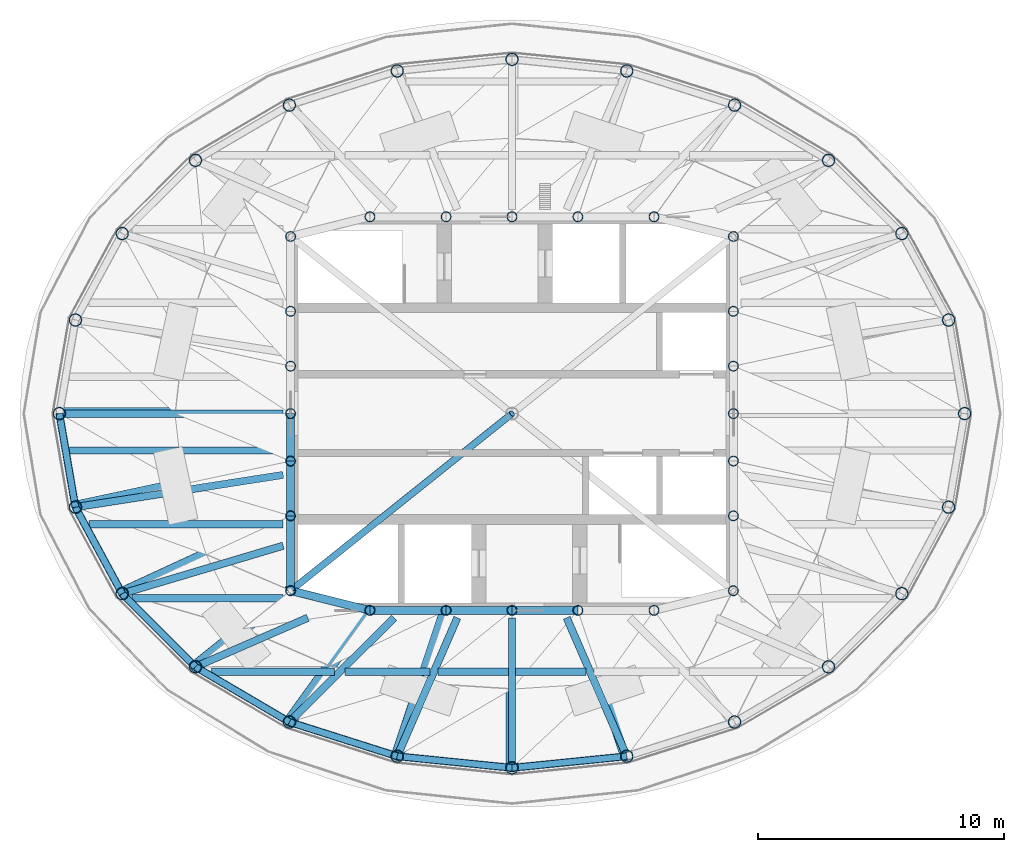
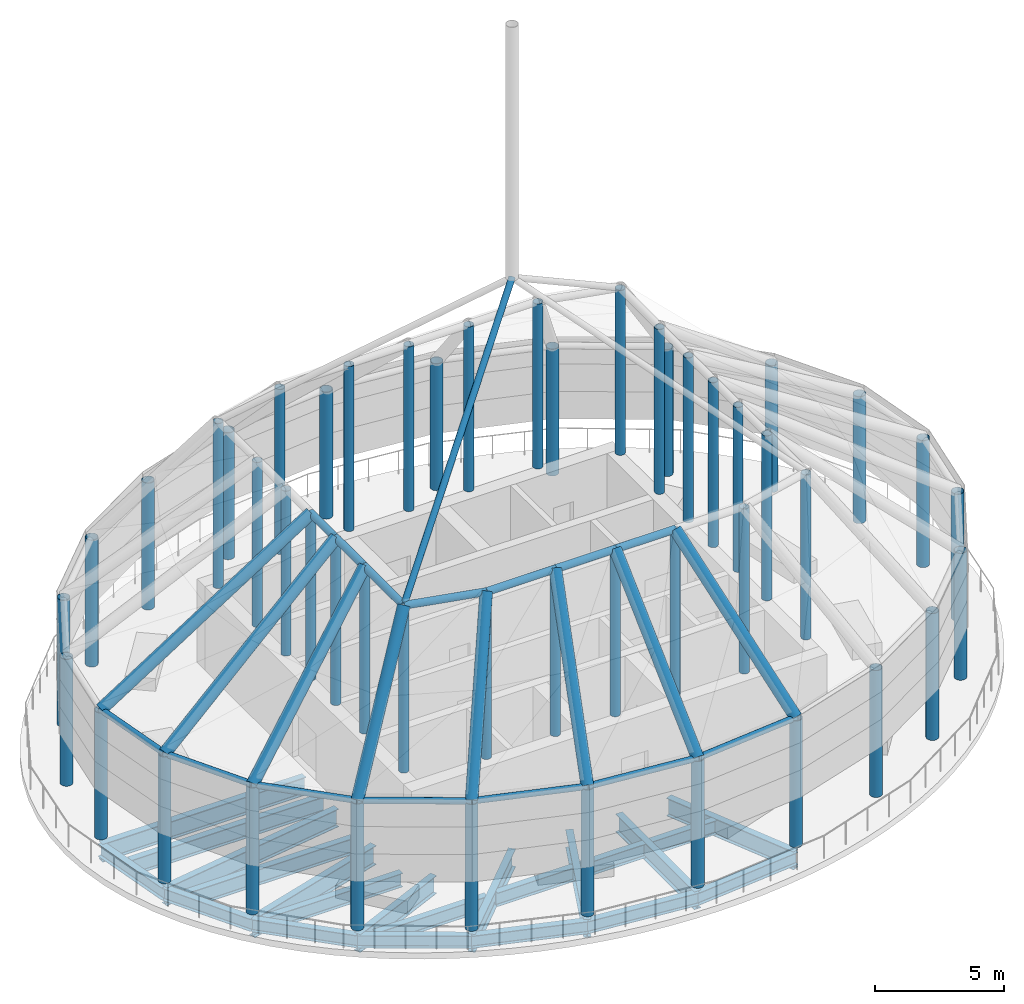
# One storey, part 1 of 8: 48 columns, 44 beams, 1 member.
"""IFC4 building model written with IfcOpenShell, lengths in metres."""

from ifc_helpers import new_model, si_unit, direction, frame, origin, origin_2d, place, context, subcontext, project, spatial, hollow_circle, i_section, extrude, material, material_profile, profile_set, type_object, element, save


model = new_model("IFC4")

# Units and contexts
model_context = context("Model", 3, precision=1e-05, world=origin(), true_north=direction((0.0, 1.0)))
body_context = subcontext(model_context, "Body", "Model", "MODEL_VIEW")
ifc_project = project(units=[si_unit("LENGTHUNIT", "METRE"), si_unit("AREAUNIT", "SQUARE_METRE"), si_unit("VOLUMEUNIT", "CUBIC_METRE"), si_unit("PLANEANGLEUNIT", "RADIAN"), si_unit("MASSUNIT", "GRAM", prefix="KILO")], contexts=[model_context])

# Site, building, storey
site_placement = place(None, origin())
site = spatial("IfcSite", under=ifc_project, at=site_placement, CompositionType="ELEMENT")
building_placement = place(site_placement, origin())
building = spatial("IfcBuilding", under=site, at=building_placement, Name="Hankou Lantern Tower", CompositionType="ELEMENT")
storey_placement = place(building_placement, frame((0.0, 0.0, 248.699951171875)))
storey = spatial("IfcBuildingStorey", under=building, at=storey_placement, Name="RF", CompositionType="ELEMENT", Elevation=248.699951171875)

# Columns
ifc_material_1 = material(Name="Steel Q355B", Category="steel")
ifc_material_profile_1 = material_profile(ifc_material_1, hollow_circle(Radius=0.25390625, WallThickness=0.02001953125, at=origin_2d()), Name="CHS508x20")
ifc_profile_set_1 = profile_set([ifc_material_profile_1], Name="Steel Q355B")
column_type_1 = type_object("IfcColumnType", Name="CR1 CANOPY POST CHS508x20", PredefinedType="COLUMN", material=ifc_profile_set_1)
for number, where, z_axis, x_axis, name in (
    (1, (18.39990234375, 0.0, 0.0), (0.0, 0.0, 1.0), (1.0, 0.0, 0.0), "Canopy post R01"),
    (2, (17.746337890625, 3.80419921875, 0.0), (0.0, 0.0, 1.0), (1.0, 0.0, 0.0), "Canopy post R02"),
    (3, (15.84619140625, 7.319091796875, 0.0), (0.0, 0.0, 1.0), (1.0, 0.0, 0.0), "Canopy post R03"),
    (4, (12.866943359375, 10.293701171875, 0.0), (0.0, 0.0, 1.0), (1.0, 0.0, 0.0), "Canopy post R04"),
    (5, (9.048828125, 12.538330078125, 0.0), (0.0, 0.0, 1.0), (1.0, 0.0, 0.0), "Canopy post R05"),
    (6, (4.66552734375, 13.929443359375, 0.0), (0.0, 0.0, 1.0), (1.0, 0.0, 0.0), "Canopy post R06"),
    (7, (0.0, 14.39990234375, 0.0), (0.0, 0.0, 1.0), (1.0, 0.0, 0.0), "Canopy post R07"),
    (8, (-4.66552734375, 13.929443359375, 0.0), (0.0, 0.0, 1.0), (1.0, 0.0, 0.0), "Canopy post R08"),
    (9, (-9.048828125, 12.538330078125, 0.0), (0.0, 0.0, 1.0), (1.0, 0.0, 0.0), "Canopy post R09"),
    (10, (-12.866943359375, 10.293701171875, 0.0), (0.0, 0.0, 1.0), (1.0, 0.0, 0.0), "Canopy post R10"),
    (11, (-15.84619140625, 7.319091796875, 0.0), (0.0, 0.0, 1.0), (1.0, 0.0, 0.0), "Canopy post R11"),
    (12, (-17.746337890625, 3.80419921875, 0.0), (0.0, 0.0, 1.0), (1.0, 0.0, 0.0), "Canopy post R12"),
    (13, (-18.39990234375, 0.0, 0.0), (0.0, 0.0, 1.0), (1.0, 0.0, 0.0), "Canopy post R13"),
    (14, (-17.746337890625, -3.80419921875, 0.0), (0.0, 0.0, 1.0), (1.0, 0.0, 0.0), "Canopy post R14"),
    (15, (-15.84619140625, -7.319091796875, 0.0), (0.0, 0.0, 1.0), (1.0, 0.0, 0.0), "Canopy post R15"),
    (16, (-12.866943359375, -10.293701171875, 0.0), (0.0, 0.0, 1.0), (1.0, 0.0, 0.0), "Canopy post R16"),
    (17, (-9.048828125, -12.538330078125, 0.0), (0.0, 0.0, 1.0), (1.0, 0.0, 0.0), "Canopy post R17"),
    (18, (-4.66552734375, -13.929443359375, 0.0), (0.0, 0.0, 1.0), (1.0, 0.0, 0.0), "Canopy post R18"),
    (19, (0.0, -14.39990234375, 0.0), (0.0, 0.0, 1.0), (1.0, 0.0, 0.0), "Canopy post R19"),
    (20, (4.66552734375, -13.929443359375, 0.0), (0.0, 0.0, 1.0), (1.0, 0.0, 0.0), "Canopy post R20"),
    (21, (9.048828125, -12.538330078125, 0.0), (0.0, 0.0, 1.0), (1.0, 0.0, 0.0), "Canopy post R21"),
    (22, (12.866943359375, -10.293701171875, 0.0), (0.0, 0.0, 1.0), (1.0, 0.0, 0.0), "Canopy post R22"),
    (23, (15.84619140625, -7.319091796875, 0.0), (0.0, 0.0, 1.0), (1.0, 0.0, 0.0), "Canopy post R23"),
    (24, (17.746337890625, -3.80419921875, 0.0), (0.0, 0.0, 1.0), (1.0, 0.0, 0.0), "Canopy post R24"),
):
    element("IfcColumn", number, at=place(storey_placement, frame(where, z_axis=z_axis, x_axis=x_axis)), inside=storey, type_object=column_type_1, Name=name, PredefinedType="COLUMN", context=body_context, shape_type="SweptSolid", body=[
        extrude(hollow_circle(Radius=0.25390625, WallThickness=0.02001953125, at=origin_2d()), origin(), (0.0, 0.0, 1.0), 6.0),
    ])
ifc_material_2 = material(Name="Steel Q355B", Category="steel")
ifc_material_profile_2 = material_profile(ifc_material_2, hollow_circle(Radius=0.202880859375, WallThickness=0.01611328125, at=origin_2d()), Name="CHS406x16")
ifc_profile_set_2 = profile_set([ifc_material_profile_2], Name="Steel Q355B")
column_type_2 = type_object("IfcColumnType", Name="CR3 CANOPY CROWN POST CHS406x16", PredefinedType="COLUMN", material=ifc_profile_set_2)
for number, where, z_axis, x_axis, name in (
    (25, (9.0, 0.0, 4.199951171875), (0.0, 0.0, 1.0), (1.0, 0.0, 0.0), "Canopy crown post R01"),
    (26, (9.0, 1.92919921875, 4.199951171875), (0.0, 0.0, 1.0), (1.0, 0.0, 0.0), "Canopy crown post R02"),
    (27, (9.0, 4.156982421875, 4.199951171875), (0.0, 0.0, 1.0), (1.0, 0.0, 0.0), "Canopy crown post R03"),
    (28, (9.0, 7.199951171875, 4.199951171875), (0.0, 0.0, 1.0), (1.0, 0.0, 0.0), "Canopy crown post R04"),
    (29, (5.7734375, 8.0, 4.199951171875), (0.0, 0.0, 1.0), (1.0, 0.0, 0.0), "Canopy crown post R05"),
    (30, (2.679443359375, 8.0, 4.199951171875), (0.0, 0.0, 1.0), (1.0, 0.0, 0.0), "Canopy crown post R06"),
    (31, (0.0, 8.0, 4.199951171875), (0.0, 0.0, 1.0), (1.0, 0.0, 0.0), "Canopy crown post R07"),
    (32, (-2.679443359375, 8.0, 4.199951171875), (0.0, 0.0, 1.0), (1.0, 0.0, 0.0), "Canopy crown post R08"),
    (33, (-5.7734375, 8.0, 4.199951171875), (0.0, 0.0, 1.0), (1.0, 0.0, 0.0), "Canopy crown post R09"),
    (34, (-9.0, 7.199951171875, 4.199951171875), (0.0, 0.0, 1.0), (1.0, 0.0, 0.0), "Canopy crown post R10"),
    (35, (-9.0, 4.156982421875, 4.199951171875), (0.0, 0.0, 1.0), (1.0, 0.0, 0.0), "Canopy crown post R11"),
    (36, (-9.0, 1.92919921875, 4.199951171875), (0.0, 0.0, 1.0), (1.0, 0.0, 0.0), "Canopy crown post R12"),
    (37, (-9.0, 0.0, 4.199951171875), (0.0, 0.0, 1.0), (1.0, 0.0, 0.0), "Canopy crown post R13"),
    (38, (-9.0, -1.92919921875, 4.199951171875), (0.0, 0.0, 1.0), (1.0, 0.0, 0.0), "Canopy crown post R14"),
    (39, (-9.0, -4.156982421875, 4.199951171875), (0.0, 0.0, 1.0), (1.0, 0.0, 0.0), "Canopy crown post R15"),
    (40, (-9.0, -7.199951171875, 4.199951171875), (0.0, 0.0, 1.0), (1.0, 0.0, 0.0), "Canopy crown post R16"),
    (41, (-5.7734375, -8.0, 4.199951171875), (0.0, 0.0, 1.0), (1.0, 0.0, 0.0), "Canopy crown post R17"),
    (42, (-2.679443359375, -8.0, 4.199951171875), (0.0, 0.0, 1.0), (1.0, 0.0, 0.0), "Canopy crown post R18"),
    (43, (0.0, -8.0, 4.199951171875), (0.0, 0.0, 1.0), (1.0, 0.0, 0.0), "Canopy crown post R19"),
    (44, (2.679443359375, -8.0, 4.199951171875), (0.0, 0.0, 1.0), (1.0, 0.0, 0.0), "Canopy crown post R20"),
    (45, (5.7734375, -8.0, 4.199951171875), (0.0, 0.0, 1.0), (1.0, 0.0, 0.0), "Canopy crown post R21"),
    (46, (9.0, -7.199951171875, 4.199951171875), (0.0, 0.0, 1.0), (1.0, 0.0, 0.0), "Canopy crown post R22"),
    (47, (9.0, -4.156982421875, 4.199951171875), (0.0, 0.0, 1.0), (1.0, 0.0, 0.0), "Canopy crown post R23"),
    (48, (9.0, -1.92919921875, 4.199951171875), (0.0, 0.0, 1.0), (1.0, 0.0, 0.0), "Canopy crown post R24"),
):
    element("IfcColumn", number, at=place(storey_placement, frame(where, z_axis=z_axis, x_axis=x_axis)), inside=storey, type_object=column_type_2, Name=name, PredefinedType="COLUMN", context=body_context, shape_type="SweptSolid", body=[
        extrude(hollow_circle(Radius=0.202880859375, WallThickness=0.01611328125, at=origin_2d()), origin(), (0.0, 0.0, 1.0), 7.800048828125),
    ])

# Beams
ifc_material_3 = material(Name="Steel Q355B", Category="steel")
ifc_material_profile_3 = material_profile(ifc_material_3, hollow_circle(Radius=0.136474609375, WallThickness=0.011962890625, at=origin_2d()), Name="CHS273x12")
ifc_profile_set_3 = profile_set([ifc_material_profile_3], Name="Steel Q355B")
beam_type_1 = type_object("IfcBeamType", Name="CP1 CANOPY RING CHS273x12", PredefinedType="BEAM", material=ifc_profile_set_3)
beam_1_placement = place(storey_placement, frame((-18.39990234375, 0.0, 6.0), z_axis=(0.169320180804, -0.98556109723, 0.0), x_axis=(0.98556109723, 0.169320180804, 0.0)))
element("IfcBeam", 49, at=beam_1_placement, inside=storey, type_object=beam_type_1, Name="Canopy outer ring bay R13", PredefinedType="BEAM", context=body_context, shape_type="SweptSolid", body=[
    extrude(hollow_circle(Radius=0.136474609375, WallThickness=0.011962890625, at=origin_2d()), origin(), (0.0, 0.0, 1.0), 3.85986328125),
])
beam_2_placement = place(storey_placement, frame((-17.746337890625, -3.80419921875, 6.0), z_axis=(0.475556651725, -0.879685097634, 0.0), x_axis=(0.879685097634, 0.475556651725, 0.0)))
element("IfcBeam", 50, at=beam_2_placement, inside=storey, type_object=beam_type_1, Name="Canopy outer ring bay R14", PredefinedType="BEAM", context=body_context, shape_type="SweptSolid", body=[
    extrude(hollow_circle(Radius=0.136474609375, WallThickness=0.011962890625, at=origin_2d()), origin(), (0.0, 0.0, 1.0), 3.99560546875),
])
beam_3_placement = place(storey_placement, frame((-15.84619140625, -7.319091796875, 6.0), z_axis=(0.707657475865, -0.706555657293, 0.0), x_axis=(0.706555657293, 0.707657475865, 0.0)))
element("IfcBeam", 51, at=beam_3_placement, inside=storey, type_object=beam_type_1, Name="Canopy outer ring bay R15", PredefinedType="BEAM", context=body_context, shape_type="SweptSolid", body=[
    extrude(hollow_circle(Radius=0.136474609375, WallThickness=0.011962890625, at=origin_2d()), origin(), (0.0, 0.0, 1.0), 4.2099609375),
])
beam_4_placement = place(storey_placement, frame((-12.866943359375, -10.293701171875, 6.0), z_axis=(0.862064554074, -0.506798485207, 0.0), x_axis=(0.506798485207, 0.862064554074, 0.0)))
element("IfcBeam", 52, at=beam_4_placement, inside=storey, type_object=beam_type_1, Name="Canopy outer ring bay R16", PredefinedType="BEAM", context=body_context, shape_type="SweptSolid", body=[
    extrude(hollow_circle(Radius=0.136474609375, WallThickness=0.011962890625, at=origin_2d()), origin(), (0.0, 0.0, 1.0), 4.428955078125),
])
beam_5_placement = place(storey_placement, frame((-9.048828125, -12.538330078125, 6.0), z_axis=(0.953150024165, -0.302497985836, 0.0), x_axis=(0.302497985836, 0.953150024165, 0.0)))
element("IfcBeam", 53, at=beam_5_placement, inside=storey, type_object=beam_type_1, Name="Canopy outer ring bay R17", PredefinedType="BEAM", context=body_context, shape_type="SweptSolid", body=[
    extrude(hollow_circle(Radius=0.136474609375, WallThickness=0.011962890625, at=origin_2d()), origin(), (0.0, 0.0, 1.0), 4.5986328125),
])
for number, where, z_axis, x_axis, name in (
    (54, (-4.66552734375, -13.929443359375, 6.0), (0.994954369815, -0.100328470467, 0.0), (0.100328470467, 0.994954369815, 0.0), "Canopy outer ring bay R18"),
    (55, (0.0, -14.39990234375, 6.0), (0.994954369815, 0.100328470467, 0.0), (-0.100328470467, 0.994954369815, 0.0), "Canopy outer ring bay R19"),
):
    element("IfcBeam", number, at=place(storey_placement, frame(where, z_axis=z_axis, x_axis=x_axis)), inside=storey, type_object=beam_type_1, Name=name, PredefinedType="BEAM", context=body_context, shape_type="SweptSolid", body=[
        extrude(hollow_circle(Radius=0.136474609375, WallThickness=0.011962890625, at=origin_2d()), origin(), (0.0, 0.0, 1.0), 4.689208984375),
    ])
ifc_material_4 = material(Name="Steel Q355B", Category="steel")
ifc_material_profile_4 = material_profile(ifc_material_4, hollow_circle(Radius=0.16259765625, WallThickness=0.013916015625, at=origin_2d()), Name="CHS325x14")
ifc_profile_set_4 = profile_set([ifc_material_profile_4], Name="Steel Q355B")
beam_type_2 = type_object("IfcBeamType", Name="CP2 CANOPY CROWN RING CHS325x14", PredefinedType="BEAM", material=ifc_profile_set_4)
beam_6_placement = place(storey_placement, frame((-9.0, 0.0, 12.0), z_axis=(0.0, -1.0, 0.0), x_axis=(1.0, 0.0, 0.0)))
element("IfcBeam", 56, at=beam_6_placement, inside=storey, type_object=beam_type_2, Name="Canopy crown ring bay R13", PredefinedType="BEAM", context=body_context, shape_type="SweptSolid", body=[
    extrude(hollow_circle(Radius=0.16259765625, WallThickness=0.013916015625, at=origin_2d()), origin(), (0.0, 0.0, 1.0), 1.92919921875),
])
beam_7_placement = place(storey_placement, frame((-9.0, -1.92919921875, 12.0), z_axis=(0.0, -1.0, 0.0), x_axis=(1.0, 0.0, 0.0)))
element("IfcBeam", 57, at=beam_7_placement, inside=storey, type_object=beam_type_2, Name="Canopy crown ring bay R14", PredefinedType="BEAM", context=body_context, shape_type="SweptSolid", body=[
    extrude(hollow_circle(Radius=0.16259765625, WallThickness=0.013916015625, at=origin_2d()), origin(), (0.0, 0.0, 1.0), 2.227783203125),
])
beam_8_placement = place(storey_placement, frame((-9.0, -4.156982421875, 12.0), z_axis=(0.0, -1.0, 0.0), x_axis=(1.0, 0.0, 0.0)))
element("IfcBeam", 58, at=beam_8_placement, inside=storey, type_object=beam_type_2, Name="Canopy crown ring bay R15", PredefinedType="BEAM", context=body_context, shape_type="SweptSolid", body=[
    extrude(hollow_circle(Radius=0.16259765625, WallThickness=0.013916015625, at=origin_2d()), origin(), (0.0, 0.0, 1.0), 3.04296875),
])
beam_9_placement = place(storey_placement, frame((-9.0, -7.199951171875, 12.0), z_axis=(0.970607276684, -0.240668889656, 0.0), x_axis=(0.240668889656, 0.970607276684, 0.0)))
element("IfcBeam", 59, at=beam_9_placement, inside=storey, type_object=beam_type_2, Name="Canopy crown ring bay R16", PredefinedType="BEAM", context=body_context, shape_type="SweptSolid", body=[
    extrude(hollow_circle(Radius=0.16259765625, WallThickness=0.013916015625, at=origin_2d()), origin(), (0.0, 0.0, 1.0), 3.32421875),
])
beam_10_placement = place(storey_placement, frame((-5.7734375, -8.0, 12.0), z_axis=(1.0, 0.0, 0.0), x_axis=(0.0, 1.0, 0.0)))
element("IfcBeam", 60, at=beam_10_placement, inside=storey, type_object=beam_type_2, Name="Canopy crown ring bay R17", PredefinedType="BEAM", context=body_context, shape_type="SweptSolid", body=[
    extrude(hollow_circle(Radius=0.16259765625, WallThickness=0.013916015625, at=origin_2d()), origin(), (0.0, 0.0, 1.0), 3.093994140625),
])
for number, where, z_axis, x_axis, name in (
    (61, (-2.679443359375, -8.0, 12.0), (1.0, 0.0, 0.0), (0.0, 1.0, 0.0), "Canopy crown ring bay R18"),
    (62, (0.0, -8.0, 12.0), (1.0, 0.0, 0.0), (0.0, 1.0, 0.0), "Canopy crown ring bay R19"),
):
    element("IfcBeam", number, at=place(storey_placement, frame(where, z_axis=z_axis, x_axis=x_axis)), inside=storey, type_object=beam_type_2, Name=name, PredefinedType="BEAM", context=body_context, shape_type="SweptSolid", body=[
        extrude(hollow_circle(Radius=0.16259765625, WallThickness=0.013916015625, at=origin_2d()), origin(), (0.0, 0.0, 1.0), 2.679443359375),
    ])
ifc_material_5 = material(Name="Steel Q355B", Category="steel")
ifc_material_profile_5 = material_profile(ifc_material_5, hollow_circle(Radius=0.25390625, WallThickness=0.02001953125, at=origin_2d()), Name="CHS508x20")
ifc_profile_set_5 = profile_set([ifc_material_profile_5], Name="Steel Q355B")
beam_type_3 = type_object("IfcBeamType", Name="CR2 CANOPY RIB CHS508x20", PredefinedType="BEAM", material=ifc_profile_set_5)
beam_11_placement = place(storey_placement, frame((-18.39990234375, 0.0, 6.0), z_axis=(0.842919674529, 0.0, 0.538039424477), x_axis=(0.0, 1.0, 0.0)))
element("IfcBeam", 63, at=beam_11_placement, inside=storey, type_object=beam_type_3, Name="Canopy rib R13", PredefinedType="BEAM", context=body_context, shape_type="SweptSolid", body=[
    extrude(hollow_circle(Radius=0.25390625, WallThickness=0.02001953125, at=origin_2d()), origin(), (0.0, 0.0, 1.0), 11.151611328125),
])
beam_12_placement = place(storey_placement, frame((-17.746337890625, -3.80419921875, 6.0), z_axis=(0.812027905765, 0.174078836463, 0.55705227668), x_axis=(-0.209612965099, 0.977784436807, 0.0)))
element("IfcBeam", 64, at=beam_12_placement, inside=storey, type_object=beam_type_3, Name="Canopy rib R14", PredefinedType="BEAM", context=body_context, shape_type="SweptSolid", body=[
    extrude(hollow_circle(Radius=0.25390625, WallThickness=0.02001953125, at=origin_2d()), origin(), (0.0, 0.0, 1.0), 10.77099609375),
])
beam_13_placement = place(storey_placement, frame((-15.84619140625, -7.319091796875, 6.0), z_axis=(0.710416460096, 0.328126167576, 0.622608762689), x_axis=(-0.41931273402, 0.907841853567, 0.0)))
element("IfcBeam", 65, at=beam_13_placement, inside=storey, type_object=beam_type_3, Name="Canopy rib R15", PredefinedType="BEAM", context=body_context, shape_type="SweptSolid", body=[
    extrude(hollow_circle(Radius=0.25390625, WallThickness=0.02001953125, at=origin_2d()), origin(), (0.0, 0.0, 1.0), 9.636962890625),
])
beam_14_placement = place(storey_placement, frame((-12.866943359375, -10.293701171875, 6.0), z_axis=(0.497052270675, 0.397666921775, 0.771232817988), x_axis=(-0.624719095634, 0.780849570372, 0.0)))
element("IfcBeam", 66, at=beam_14_placement, inside=storey, type_object=beam_type_3, Name="Canopy rib R16", PredefinedType="BEAM", context=body_context, shape_type="SweptSolid", body=[
    extrude(hollow_circle(Radius=0.25390625, WallThickness=0.02001953125, at=origin_2d()), origin(), (0.0, 0.0, 1.0), 7.77978515625),
])
beam_15_placement = place(storey_placement, frame((-9.048828125, -12.538330078125, 6.0), z_axis=(0.399186765563, 0.553106945815, 0.731247312946), x_axis=(-0.810873576555, 0.58522136226, 0.0)))
element("IfcBeam", 67, at=beam_15_placement, inside=storey, type_object=beam_type_3, Name="Canopy rib R17", PredefinedType="BEAM", context=body_context, shape_type="SweptSolid", body=[
    extrude(hollow_circle(Radius=0.25390625, WallThickness=0.02001953125, at=origin_2d()), origin(), (0.0, 0.0, 1.0), 8.205078125),
])
beam_16_placement = place(storey_placement, frame((-4.66552734375, -13.929443359375, 6.0), z_axis=(0.229176173343, 0.684204268222, 0.692345867987), x_axis=(-0.948221591539, 0.317609529673, 0.0)))
element("IfcBeam", 68, at=beam_16_placement, inside=storey, type_object=beam_type_3, Name="Canopy rib R18", PredefinedType="BEAM", context=body_context, shape_type="SweptSolid", body=[
    extrude(hollow_circle(Radius=0.25390625, WallThickness=0.02001953125, at=origin_2d()), origin(), (0.0, 0.0, 1.0), 8.666259765625),
])
beam_17_placement = place(storey_placement, frame((0.0, -14.39990234375, 6.0), z_axis=(0.0, 0.729531996868, 0.683946683262), x_axis=(-1.0, 0.0, 0.0)))
element("IfcBeam", 69, at=beam_17_placement, inside=storey, type_object=beam_type_3, Name="Canopy rib R19", PredefinedType="BEAM", context=body_context, shape_type="SweptSolid", body=[
    extrude(hollow_circle(Radius=0.25390625, WallThickness=0.02001953125, at=origin_2d()), origin(), (0.0, 0.0, 1.0), 8.772705078125),
])
beam_18_placement = place(storey_placement, frame((4.66552734375, -13.929443359375, 6.0), z_axis=(-0.229176173343, 0.684204268222, 0.692345867987), x_axis=(-0.948221591539, -0.317609529673, 0.0)))
element("IfcBeam", 70, at=beam_18_placement, inside=storey, type_object=beam_type_3, Name="Canopy rib R20", PredefinedType="BEAM", context=body_context, shape_type="SweptSolid", body=[
    extrude(hollow_circle(Radius=0.25390625, WallThickness=0.02001953125, at=origin_2d()), origin(), (0.0, 0.0, 1.0), 8.666259765625),
])

# Member
ifc_material_6 = material(Name="Steel Q355B", Category="steel")
ifc_material_profile_6 = material_profile(ifc_material_6, hollow_circle(Radius=0.136474609375, WallThickness=0.011962890625, at=origin_2d()), Name="CHS273x12")
ifc_profile_set_6 = profile_set([ifc_material_profile_6], Name="Steel Q355B")
member_type = type_object("IfcMemberType", Name="CR4 CROWN RAKER CHS273x12", PredefinedType="MEMBER", material=ifc_profile_set_6)
member_placement = place(storey_placement, frame((-9.0, -7.199951171875, 12.0), z_axis=(0.641485149635, 0.513184639428, 0.570209021897), x_axis=(-0.624692464322, 0.780870876022, 0.0)))
element("IfcMember", 71, at=member_placement, inside=storey, type_object=member_type, Name="Crown raker R16", PredefinedType="MEMBER", context=body_context, shape_type="SweptSolid", body=[
    extrude(hollow_circle(Radius=0.136474609375, WallThickness=0.011962890625, at=origin_2d()), origin(), (0.0, 0.0, 1.0), 14.030029296875),
])

# Beams
ifc_material_7 = material(Name="Steel Q355B", Category="steel")
ifc_material_profile_7 = material_profile(ifc_material_7, i_section(OverallWidth=0.300048828125, OverallDepth=0.587890625, WebThickness=0.011962890625, FlangeThickness=0.02001953125, FilletRadius=0.01806640625, at=origin_2d()), Name="HM588x300x12x20")
ifc_profile_set_7 = profile_set([ifc_material_profile_7], Name="Steel Q355B")
beam_type_4 = type_object("IfcBeamType", Name="EB16 RING BEAM HM588x300x12x20", PredefinedType="SPANDREL", material=ifc_profile_set_7)
beam_19_placement = place(storey_placement, frame((-18.39990234375, 0.0, -0.593994140625), z_axis=(0.169320180804, -0.98556109723, 0.0), x_axis=(0.98556109723, 0.169320180804, 0.0)))
element("IfcBeam", 72, at=beam_19_placement, inside=storey, type_object=beam_type_4, Name="Ring beam R13-R14 RF", PredefinedType="SPANDREL", context=body_context, shape_type="SweptSolid", body=[
    extrude(i_section(OverallWidth=0.300048828125, OverallDepth=0.587890625, WebThickness=0.011962890625, FlangeThickness=0.02001953125, FilletRadius=0.01806640625, at=origin_2d()), origin(), (0.0, 0.0, 1.0), 3.85986328125),
])
beam_20_placement = place(storey_placement, frame((-17.746337890625, -3.80419921875, -0.593994140625), z_axis=(0.475556651725, -0.879685097634, 0.0), x_axis=(0.879685097634, 0.475556651725, 0.0)))
element("IfcBeam", 73, at=beam_20_placement, inside=storey, type_object=beam_type_4, Name="Ring beam R14-R15 RF", PredefinedType="SPANDREL", context=body_context, shape_type="SweptSolid", body=[
    extrude(i_section(OverallWidth=0.300048828125, OverallDepth=0.587890625, WebThickness=0.011962890625, FlangeThickness=0.02001953125, FilletRadius=0.01806640625, at=origin_2d()), origin(), (0.0, 0.0, 1.0), 3.99560546875),
])
beam_21_placement = place(storey_placement, frame((-15.84619140625, -7.319091796875, -0.593994140625), z_axis=(0.707657475865, -0.706555657293, 0.0), x_axis=(0.706555657293, 0.707657475865, 0.0)))
element("IfcBeam", 74, at=beam_21_placement, inside=storey, type_object=beam_type_4, Name="Ring beam R15-R16 RF", PredefinedType="SPANDREL", context=body_context, shape_type="SweptSolid", body=[
    extrude(i_section(OverallWidth=0.300048828125, OverallDepth=0.587890625, WebThickness=0.011962890625, FlangeThickness=0.02001953125, FilletRadius=0.01806640625, at=origin_2d()), origin(), (0.0, 0.0, 1.0), 4.2099609375),
])
beam_22_placement = place(storey_placement, frame((-12.866943359375, -10.293701171875, -0.593994140625), z_axis=(0.862064554074, -0.506798485207, 0.0), x_axis=(0.506798485207, 0.862064554074, 0.0)))
element("IfcBeam", 75, at=beam_22_placement, inside=storey, type_object=beam_type_4, Name="Ring beam R16-R17 RF", PredefinedType="SPANDREL", context=body_context, shape_type="SweptSolid", body=[
    extrude(i_section(OverallWidth=0.300048828125, OverallDepth=0.587890625, WebThickness=0.011962890625, FlangeThickness=0.02001953125, FilletRadius=0.01806640625, at=origin_2d()), origin(), (0.0, 0.0, 1.0), 4.428955078125),
])
beam_23_placement = place(storey_placement, frame((-9.048828125, -12.538330078125, -0.593994140625), z_axis=(0.953150024165, -0.302497985836, 0.0), x_axis=(0.302497985836, 0.953150024165, 0.0)))
element("IfcBeam", 76, at=beam_23_placement, inside=storey, type_object=beam_type_4, Name="Ring beam R17-R18 RF", PredefinedType="SPANDREL", context=body_context, shape_type="SweptSolid", body=[
    extrude(i_section(OverallWidth=0.300048828125, OverallDepth=0.587890625, WebThickness=0.011962890625, FlangeThickness=0.02001953125, FilletRadius=0.01806640625, at=origin_2d()), origin(), (0.0, 0.0, 1.0), 4.5986328125),
])
for number, where, z_axis, x_axis, name in (
    (77, (-4.66552734375, -13.929443359375, -0.593994140625), (0.994954369815, -0.100328470467, 0.0), (0.100328470467, 0.994954369815, 0.0), "Ring beam R18-R19 RF"),
    (78, (0.0, -14.39990234375, -0.593994140625), (0.994954369815, 0.100328470467, 0.0), (-0.100328470467, 0.994954369815, 0.0), "Ring beam R19-R20 RF"),
):
    element("IfcBeam", number, at=place(storey_placement, frame(where, z_axis=z_axis, x_axis=x_axis)), inside=storey, type_object=beam_type_4, Name=name, PredefinedType="SPANDREL", context=body_context, shape_type="SweptSolid", body=[
        extrude(i_section(OverallWidth=0.300048828125, OverallDepth=0.587890625, WebThickness=0.011962890625, FlangeThickness=0.02001953125, FilletRadius=0.01806640625, at=origin_2d()), origin(), (0.0, 0.0, 1.0), 4.689208984375),
    ])
ifc_material_8 = material(Name="Steel Q355B", Category="steel")
ifc_material_profile_8 = material_profile(ifc_material_8, i_section(OverallWidth=0.300048828125, OverallDepth=0.85009765625, WebThickness=0.01611328125, FlangeThickness=0.027099609375, FilletRadius=0.01806640625, at=origin_2d()), Name="HN850x300x16x27")
ifc_profile_set_8 = profile_set([ifc_material_profile_8], Name="Steel Q355B")
beam_type_5 = type_object("IfcBeamType", Name="RB12 RADIAL BEAM HN850x300x16x27", PredefinedType="BEAM", material=ifc_profile_set_8)
beam_24_placement = place(storey_placement, frame((-9.300048828125, 0.0, -0.724853515625), z_axis=(-1.0, 0.0, 0.0), x_axis=(0.0, -1.0, 0.0)))
element("IfcBeam", 79, at=beam_24_placement, inside=storey, type_object=beam_type_5, Name="Radial beam R13 RF", PredefinedType="BEAM", context=body_context, shape_type="SweptSolid", body=[
    extrude(i_section(OverallWidth=0.300048828125, OverallDepth=0.85009765625, WebThickness=0.01611328125, FlangeThickness=0.027099609375, FilletRadius=0.01806640625, at=origin_2d()), origin(), (0.0, 0.0, 1.0), 9.099853515625),
])
beam_25_placement = place(storey_placement, frame((-9.300048828125, -2.491943359375, -0.724853515625), z_axis=(-0.988145083079, -0.153522945472, 0.0), x_axis=(0.153522945472, -0.988145083079, 0.0)))
element("IfcBeam", 80, at=beam_25_placement, inside=storey, type_object=beam_type_5, Name="Radial beam R14 RF", PredefinedType="BEAM", context=body_context, shape_type="SweptSolid", body=[
    extrude(i_section(OverallWidth=0.300048828125, OverallDepth=0.85009765625, WebThickness=0.01611328125, FlangeThickness=0.027099609375, FilletRadius=0.01806640625, at=origin_2d()), origin(), (0.0, 0.0, 1.0), 8.547607421875),
])
beam_26_placement = place(storey_placement, frame((-8.300048828125, -8.300048828125, -0.724853515625), z_axis=(-0.91647863232, -0.400083636882, 0.0), x_axis=(0.400083636882, -0.91647863232, 0.0)))
element("IfcBeam", 81, at=beam_26_placement, inside=storey, type_object=beam_type_5, Name="Radial beam R16 RF", PredefinedType="BEAM", context=body_context, shape_type="SweptSolid", body=[
    extrude(i_section(OverallWidth=0.300048828125, OverallDepth=0.85009765625, WebThickness=0.01611328125, FlangeThickness=0.027099609375, FilletRadius=0.01806640625, at=origin_2d()), origin(), (0.0, 0.0, 1.0), 4.983154296875),
])
beam_27_placement = place(storey_placement, frame((-4.7919921875, -8.300048828125, -0.724853515625), z_axis=(-0.708649524574, -0.705560664522, 0.0), x_axis=(0.705560664522, -0.708649524574, 0.0)))
element("IfcBeam", 82, at=beam_27_placement, inside=storey, type_object=beam_type_5, Name="Radial beam R17 RF", PredefinedType="BEAM", context=body_context, shape_type="SweptSolid", body=[
    extrude(i_section(OverallWidth=0.300048828125, OverallDepth=0.85009765625, WebThickness=0.01611328125, FlangeThickness=0.027099609375, FilletRadius=0.01806640625, at=origin_2d()), origin(), (0.0, 0.0, 1.0), 6.007080078125),
])
beam_28_placement = place(storey_placement, frame((-2.223876953125, -8.300048828125, -0.724853515625), z_axis=(-0.397915592164, -0.917422030209, 0.0), x_axis=(0.917422030209, -0.397915592164, 0.0)))
element("IfcBeam", 83, at=beam_28_placement, inside=storey, type_object=beam_type_5, Name="Radial beam R18 RF", PredefinedType="BEAM", context=body_context, shape_type="SweptSolid", body=[
    extrude(i_section(OverallWidth=0.300048828125, OverallDepth=0.85009765625, WebThickness=0.01611328125, FlangeThickness=0.027099609375, FilletRadius=0.01806640625, at=origin_2d()), origin(), (0.0, 0.0, 1.0), 6.135986328125),
])
beam_29_placement = place(storey_placement, frame((0.0, -8.300048828125, -0.724853515625), z_axis=(0.0, -1.0, 0.0), x_axis=(1.0, 0.0, 0.0)))
element("IfcBeam", 84, at=beam_29_placement, inside=storey, type_object=beam_type_5, Name="Radial beam R19 RF", PredefinedType="BEAM", context=body_context, shape_type="SweptSolid", body=[
    extrude(i_section(OverallWidth=0.300048828125, OverallDepth=0.85009765625, WebThickness=0.01611328125, FlangeThickness=0.027099609375, FilletRadius=0.01806640625, at=origin_2d()), origin(), (0.0, 0.0, 1.0), 6.099853515625),
])
beam_30_placement = place(storey_placement, frame((2.223876953125, -8.300048828125, -0.724853515625), z_axis=(0.397915592164, -0.917422030209, 0.0), x_axis=(0.917422030209, 0.397915592164, 0.0)))
element("IfcBeam", 85, at=beam_30_placement, inside=storey, type_object=beam_type_5, Name="Radial beam R20 RF", PredefinedType="BEAM", context=body_context, shape_type="SweptSolid", body=[
    extrude(i_section(OverallWidth=0.300048828125, OverallDepth=0.85009765625, WebThickness=0.01611328125, FlangeThickness=0.027099609375, FilletRadius=0.01806640625, at=origin_2d()), origin(), (0.0, 0.0, 1.0), 6.135986328125),
])
ifc_material_9 = material(Name="Steel Q355B", Category="steel")
ifc_material_profile_9 = material_profile(ifc_material_9, i_section(OverallWidth=0.300048828125, OverallDepth=0.89990234375, WebThickness=0.01611328125, FlangeThickness=0.028076171875, FilletRadius=0.01806640625, at=origin_2d()), Name="HN900x300x16x28")
ifc_profile_set_9 = profile_set([ifc_material_profile_9], Name="Steel Q355B")
beam_type_6 = type_object("IfcBeamType", Name="RB13 RADIAL BEAM HN900x300x16x28", PredefinedType="BEAM", material=ifc_profile_set_9)
beam_31_placement = place(storey_placement, frame((-9.300048828125, -5.369384765625, -0.75), z_axis=(-0.958394006021, -0.285448645511, 0.0), x_axis=(0.285448645511, -0.958394006021, 0.0)))
element("IfcBeam", 86, at=beam_31_placement, inside=storey, type_object=beam_type_6, Name="Radial beam R15 RF", PredefinedType="BEAM", context=body_context, shape_type="SweptSolid", body=[
    extrude(i_section(OverallWidth=0.300048828125, OverallDepth=0.89990234375, WebThickness=0.01611328125, FlangeThickness=0.028076171875, FilletRadius=0.01806640625, at=origin_2d()), origin(), (0.0, 0.0, 1.0), 6.830322265625),
])
ifc_material_10 = material(Name="Steel Q355B", Category="steel")
ifc_material_profile_10 = material_profile(ifc_material_10, i_section(OverallWidth=0.300048828125, OverallDepth=0.75, WebThickness=0.012939453125, FlangeThickness=0.02392578125, FilletRadius=0.01806640625, at=origin_2d()), Name="HN750x300x13x24")
ifc_profile_set_10 = profile_set([ifc_material_profile_10], Name="Steel Q355B")
beam_type_7 = type_object("IfcBeamType", Name="SB10 SECONDARY BEAM HN750x300x13x24", PredefinedType="JOIST", material=ifc_profile_set_10)
beam_32_placement = place(storey_placement, frame((-17.199462890625, -4.5, -0.675048828125), z_axis=(1.0, 0.0, 0.0), x_axis=(0.0, 1.0, 0.0)))
element("IfcBeam", 87, at=beam_32_placement, inside=storey, type_object=beam_type_7, Name="Floor joist J009 RF", PredefinedType="JOIST", context=body_context, shape_type="SweptSolid", body=[
    extrude(i_section(OverallWidth=0.300048828125, OverallDepth=0.75, WebThickness=0.012939453125, FlangeThickness=0.02392578125, FilletRadius=0.01806640625, at=origin_2d()), origin(), (0.0, 0.0, 1.0), 7.8994140625),
])
beam_33_placement = place(storey_placement, frame((-17.989990234375, -1.5, -0.675048828125), z_axis=(1.0, 0.0, 0.0), x_axis=(0.0, 1.0, 0.0)))
element("IfcBeam", 88, at=beam_33_placement, inside=storey, type_object=beam_type_7, Name="Floor joist J011 RF", PredefinedType="JOIST", context=body_context, shape_type="SweptSolid", body=[
    extrude(i_section(OverallWidth=0.300048828125, OverallDepth=0.75, WebThickness=0.012939453125, FlangeThickness=0.02392578125, FilletRadius=0.01806640625, at=origin_2d()), origin(), (0.0, 0.0, 1.0), 8.68994140625),
])
ifc_material_11 = material(Name="Steel Q355B", Category="steel")
ifc_material_profile_11 = material_profile(ifc_material_11, i_section(OverallWidth=0.300048828125, OverallDepth=0.64990234375, WebThickness=0.010986328125, FlangeThickness=0.01708984375, FilletRadius=0.01806640625, at=origin_2d()), Name="HN650x300x11x17")
ifc_profile_set_11 = profile_set([ifc_material_profile_11], Name="Steel Q355B")
beam_type_8 = type_object("IfcBeamType", Name="SB8 SECONDARY BEAM HN650x300x11x17", PredefinedType="JOIST", material=ifc_profile_set_11)
beam_34_placement = place(storey_placement, frame((-12.219970703125, -10.5, -0.625), z_axis=(1.0, 0.0, 0.0), x_axis=(0.0, 1.0, 0.0)))
element("IfcBeam", 89, at=beam_34_placement, inside=storey, type_object=beam_type_8, Name="Floor joist J001 RF", PredefinedType="JOIST", context=body_context, shape_type="SweptSolid", body=[
    extrude(i_section(OverallWidth=0.300048828125, OverallDepth=0.64990234375, WebThickness=0.010986328125, FlangeThickness=0.01708984375, FilletRadius=0.01806640625, at=origin_2d()), origin(), (0.0, 0.0, 1.0), 5.005859375),
])
beam_35_placement = place(storey_placement, frame((-6.7890625, -10.5, -0.625), z_axis=(1.0, 0.0, 0.0), x_axis=(0.0, 1.0, 0.0)))
element("IfcBeam", 90, at=beam_35_placement, inside=storey, type_object=beam_type_8, Name="Floor joist J002 RF", PredefinedType="JOIST", context=body_context, shape_type="SweptSolid", body=[
    extrude(i_section(OverallWidth=0.300048828125, OverallDepth=0.64990234375, WebThickness=0.010986328125, FlangeThickness=0.01708984375, FilletRadius=0.01806640625, at=origin_2d()), origin(), (0.0, 0.0, 1.0), 3.447509765625),
])
for number, where, z_axis, x_axis, name in (
    (91, (-3.0146484375, -10.5, -0.625), (1.0, 0.0, 0.0), (0.0, 1.0, 0.0), "Floor joist J003 RF"),
    (92, (0.14990234375, -10.5, -0.625), (1.0, 0.0, 0.0), (0.0, 1.0, 0.0), "Floor joist J004 RF"),
):
    element("IfcBeam", number, at=place(storey_placement, frame(where, z_axis=z_axis, x_axis=x_axis)), inside=storey, type_object=beam_type_8, Name=name, PredefinedType="JOIST", context=body_context, shape_type="SweptSolid", body=[
        extrude(i_section(OverallWidth=0.300048828125, OverallDepth=0.64990234375, WebThickness=0.010986328125, FlangeThickness=0.01708984375, FilletRadius=0.01806640625, at=origin_2d()), origin(), (0.0, 0.0, 1.0), 2.86474609375),
    ])
beam_36_placement = place(storey_placement, frame((-15.452392578125, -7.5, -0.625), z_axis=(1.0, 0.0, 0.0), x_axis=(0.0, 1.0, 0.0)))
element("IfcBeam", 93, at=beam_36_placement, inside=storey, type_object=beam_type_8, Name="Floor joist J007 RF", PredefinedType="JOIST", context=body_context, shape_type="SweptSolid", body=[
    extrude(i_section(OverallWidth=0.300048828125, OverallDepth=0.64990234375, WebThickness=0.010986328125, FlangeThickness=0.01708984375, FilletRadius=0.01806640625, at=origin_2d()), origin(), (0.0, 0.0, 1.0), 6.15234375),
])

save(model, "model.ifc")
